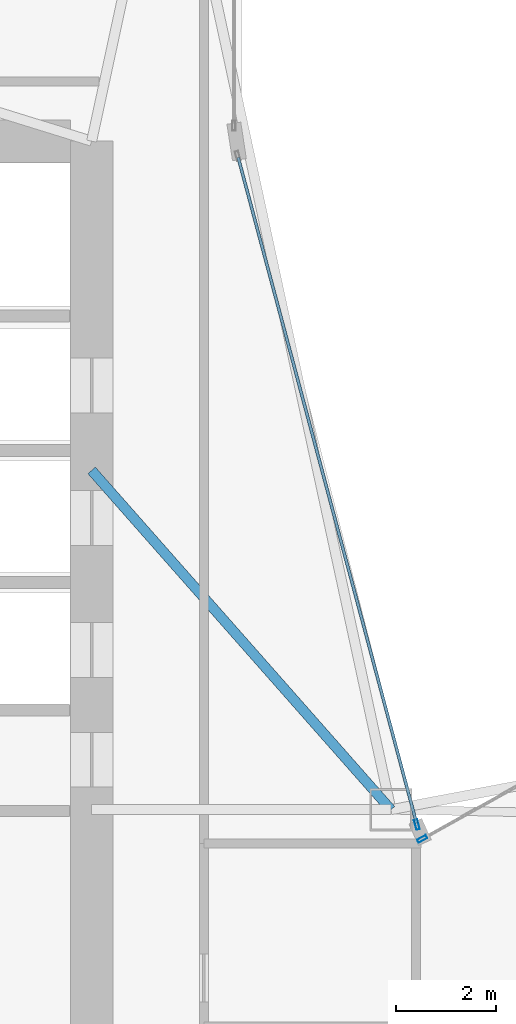
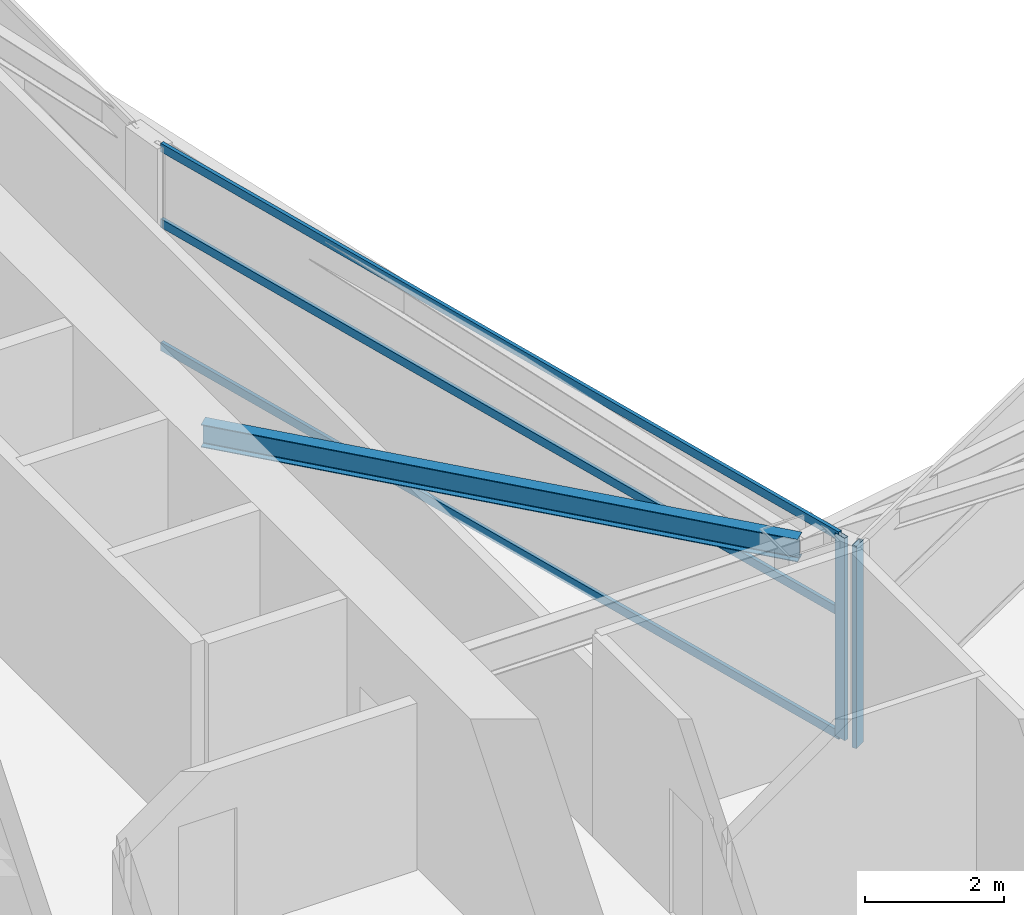
# One storey, part 10 of 29: 5 members, 1 beam, 2 elements without a shape of their own.
"""IFC4 building model written with IfcOpenShell, lengths in metres."""

from ifc_helpers import new_model, si_unit, direction, frame, origin, origin_2d, place, context, subcontext, project, spatial, hollow_rectangle, i_section, extrude, material, layer, layer_set, material_profile, profile_set, type_object, element, aggregate, save


model = new_model("IFC4")

# Units and contexts
model_context = context("Model", 3, precision=1e-05, world=origin(), true_north=direction((0.0, 1.0)))
body_context = subcontext(model_context, "Body", "Model", "MODEL_VIEW")
ifc_project = project(units=[si_unit("LENGTHUNIT", "METRE"), si_unit("AREAUNIT", "SQUARE_METRE"), si_unit("VOLUMEUNIT", "CUBIC_METRE"), si_unit("PLANEANGLEUNIT", "RADIAN"), si_unit("MASSUNIT", "GRAM", prefix="KILO")], contexts=[model_context])

# Site, building, storey
site_placement = place(None, origin())
site = spatial("IfcSite", under=ifc_project, at=site_placement, CompositionType="ELEMENT")
building_placement = place(site_placement, origin())
building = spatial("IfcBuilding", under=site, at=building_placement, Name="Calvorn Quay Hotel", CompositionType="ELEMENT")
storey_placement = place(building_placement, frame((0.0, 0.0, 167.5)))
storey = spatial("IfcBuildingStorey", under=building, at=storey_placement, Name="L41", CompositionType="ELEMENT", Elevation=167.5)

# Beam
ifc_material_1 = material(Name="Steel Q355B", Category="steel")
ifc_material_profile_1 = material_profile(ifc_material_1, i_section(OverallWidth=0.199951171875, OverallDepth=0.39990234375, WebThickness=0.008056640625, FlangeThickness=0.012939453125, FilletRadius=0.01611328125, at=origin_2d()), Name="HN400x200x8x13")
ifc_profile_set_1 = profile_set([ifc_material_profile_1], Name="Steel Q355B")
beam_type = type_object("IfcBeamType", Name="BM-JOIST-TYP", PredefinedType="JOIST", material=ifc_profile_set_1)
beam_placement = place(storey_placement, frame((15.0, 31.800048828125, 3.340087890625), z_axis=(0.661618965899, -0.749840212287, 0.0), x_axis=(0.749840212287, 0.661618965899, 0.0)))
element("IfcBeam", 1, at=beam_placement, inside=storey, type_object=beam_type, Name="Beam BJ-L41-C1", PredefinedType="JOIST", context=body_context, shape_type="SweptSolid", body=[
    extrude(i_section(OverallWidth=0.199951171875, OverallDepth=0.39990234375, WebThickness=0.008056640625, FlangeThickness=0.012939453125, FilletRadius=0.01611328125, at=origin_2d()), origin(), (0.0, 0.0, 1.0), 9.068603515625),
])

# Curtain wall, member
ifc_material_2 = material(Name="Pale Anodised Aluminium and Low-E Glass", Category="aluminium")
ifc_layer = layer(ifc_material_2, 0.219970703125)
ifc_layer_set = layer_set([ifc_layer], Name="CW-SYS-Z2")
curtain_wall_type = type_object("IfcCurtainWallType", Name="CW-SYS-Z2", PredefinedType="NOTDEFINED", material=ifc_layer_set)
curtain_wall_1_placement = place(storey_placement, origin())
curtain_wall_1 = element("IfcCurtainWall", 2, at=curtain_wall_1_placement, inside=storey, type_object=curtain_wall_type, Name="Inner Court Curtain Wall L41-NE1", PredefinedType="NOTDEFINED")
ifc_material_3 = material(Name="Pale Anodised Aluminium 6063-T6", Category="aluminium")
ifc_material_profile_2 = material_profile(ifc_material_3, hollow_rectangle(XDim=0.070068359375, YDim=0.199951171875, WallThickness=0.00390625, at=origin_2d()), Name="ALU-M200x70x4")
ifc_profile_set_2 = profile_set([ifc_material_profile_2], Name="Pale Anodised Aluminium 6063-T6")
member_type_1 = type_object("IfcMemberType", Name="CW-SYS-Z2-MUL", PredefinedType="MULLION", material=ifc_profile_set_2)
member_1_placement = place(storey_placement, frame((21.626220703125, 24.41455078125, 0.0), z_axis=(0.0, 0.0, 1.0), x_axis=(0.486858256224, -0.873480989116, 0.0)))
member_1 = element("IfcMember", 3, at=member_1_placement, type_object=member_type_1, Name="CW-L41-NE1 mullion 4", PredefinedType="MULLION", context=body_context, shape_type="SweptSolid", body=[
    extrude(hollow_rectangle(XDim=0.070068359375, YDim=0.199951171875, WallThickness=0.00390625, at=origin_2d()), origin(), (0.0, 0.0, 1.0), 3.56005859375),
])
aggregate(curtain_wall_1, [member_1])

# Curtain wall, members
curtain_wall_2_placement = place(storey_placement, origin())
curtain_wall_2 = element("IfcCurtainWall", 4, at=curtain_wall_2_placement, inside=storey, type_object=curtain_wall_type, Name="Inner Court Curtain Wall L41-IC1", PredefinedType="NOTDEFINED")
member_2_placement = place(storey_placement, frame((21.520263671875, 24.698974609375, 0.0), z_axis=(0.0, 0.0, 1.0), x_axis=(-0.96593652056, -0.25877913024, 0.0)))
member_2 = element("IfcMember", 5, at=member_2_placement, type_object=member_type_1, Name="CW-L41-IC1 mullion 1", PredefinedType="MULLION", context=body_context, shape_type="SweptSolid", body=[
    extrude(hollow_rectangle(XDim=0.070068359375, YDim=0.199951171875, WallThickness=0.00390625, at=origin_2d()), origin(), (0.0, 0.0, 1.0), 3.56005859375),
])
ifc_material_4 = material(Name="Pale Anodised Aluminium 6063-T6", Category="aluminium")
ifc_material_profile_3 = material_profile(ifc_material_4, hollow_rectangle(XDim=0.06005859375, YDim=0.14990234375, WallThickness=0.00341796875, at=origin_2d()), Name="ALU-T150x60x3.5")
ifc_profile_set_3 = profile_set([ifc_material_profile_3], Name="Pale Anodised Aluminium 6063-T6")
member_type_2 = type_object("IfcMemberType", Name="CW-SYS-Z2-TRN", PredefinedType="USERDEFINED", material=ifc_profile_set_3)
member_3_placement = place(storey_placement, frame((21.512451171875, 24.72802734375, 0.030029296875), z_axis=(-0.258781136883, 0.965935982969, 0.0), x_axis=(-0.965935982969, -0.258781136883, 0.0)))
member_3 = element("IfcMember", 6, at=member_3_placement, type_object=member_type_2, Name="CW-L41-IC1 transom 1.1", ObjectType="TRANSOM", PredefinedType="USERDEFINED", context=body_context, shape_type="SweptSolid", body=[
    extrude(hollow_rectangle(XDim=0.06005859375, YDim=0.14990234375, WallThickness=0.00341796875, at=origin_2d()), origin(), (0.0, 0.0, 1.0), 13.814453125),
])
member_4_placement = place(storey_placement, frame((21.512451171875, 24.72802734375, 2.199951171875), z_axis=(-0.258781136883, 0.965935982969, 0.0), x_axis=(-0.965935982969, -0.258781136883, 0.0)))
member_4 = element("IfcMember", 7, at=member_4_placement, type_object=member_type_2, Name="CW-L41-IC1 transom 1.2", ObjectType="TRANSOM", PredefinedType="USERDEFINED", context=body_context, shape_type="SweptSolid", body=[
    extrude(hollow_rectangle(XDim=0.06005859375, YDim=0.14990234375, WallThickness=0.00341796875, at=origin_2d()), origin(), (0.0, 0.0, 1.0), 13.814453125),
])
member_5_placement = place(storey_placement, frame((21.512451171875, 24.72802734375, 3.530029296875), z_axis=(-0.258781136883, 0.965935982969, 0.0), x_axis=(-0.965935982969, -0.258781136883, 0.0)))
member_5 = element("IfcMember", 8, at=member_5_placement, type_object=member_type_2, Name="CW-L41-IC1 transom 1.3", ObjectType="TRANSOM", PredefinedType="USERDEFINED", context=body_context, shape_type="SweptSolid", body=[
    extrude(hollow_rectangle(XDim=0.06005859375, YDim=0.14990234375, WallThickness=0.00341796875, at=origin_2d()), origin(), (0.0, 0.0, 1.0), 13.814453125),
])
aggregate(curtain_wall_2, [member_2, member_3, member_4, member_5])

save(model, "model.ifc")
